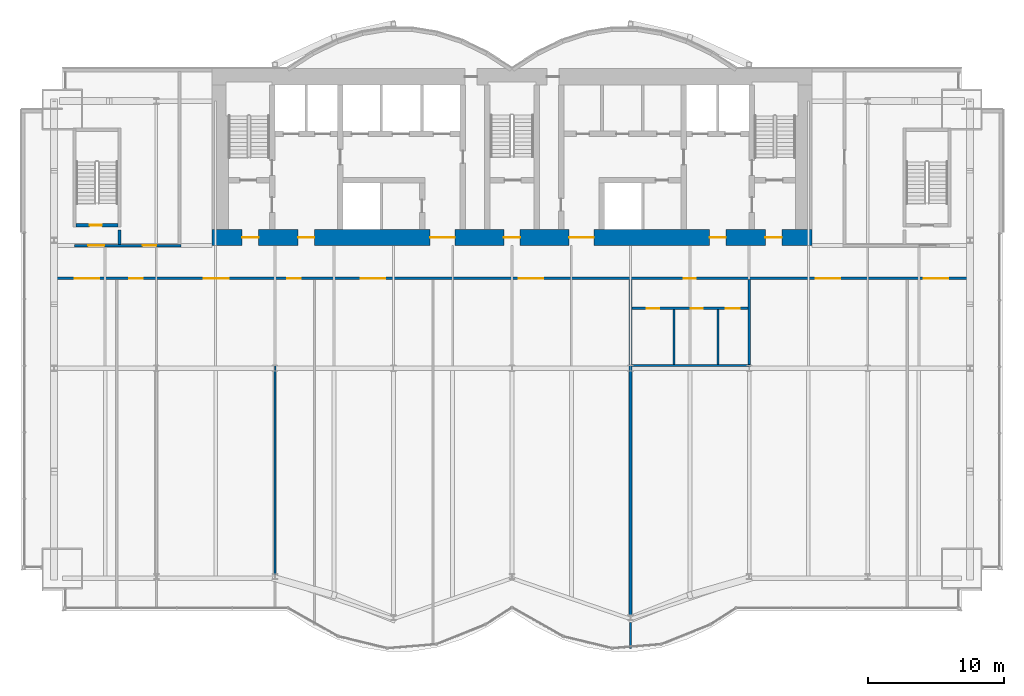
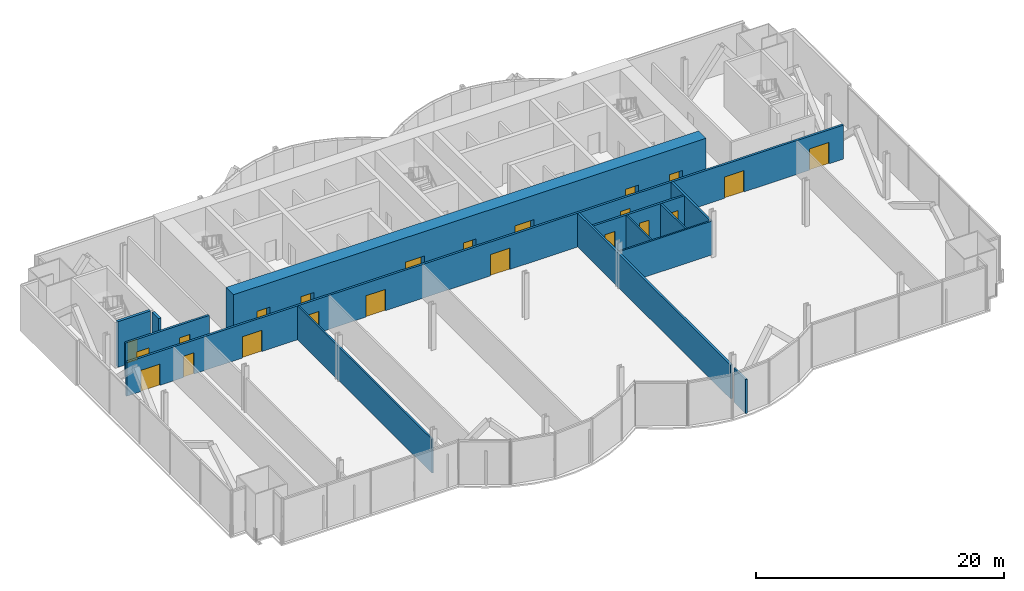
# One storey, part 15 of 21: 22 doors, 13 walls, 22 openings.
"""IFC4 building model written with IfcOpenShell, lengths in metres."""

from ifc_helpers import new_model, si_unit, direction, frame, frame_2d, origin, place, context, subcontext, project, spatial, rectangle, extrude, material, layer, layer_set, type_object, element, fill, save


model = new_model("IFC4")

# Units and contexts
model_context = context("Model", 3, precision=1e-05, world=origin(), true_north=direction((0.0, 1.0)))
body_context = subcontext(model_context, "Body", "Model", "MODEL_VIEW")
ifc_project = project(units=[si_unit("LENGTHUNIT", "METRE"), si_unit("AREAUNIT", "SQUARE_METRE"), si_unit("VOLUMEUNIT", "CUBIC_METRE"), si_unit("PLANEANGLEUNIT", "RADIAN"), si_unit("MASSUNIT", "GRAM", prefix="KILO")], contexts=[model_context])

# Site, building, storey
site_placement = place(None, origin())
site = spatial("IfcSite", under=ifc_project, at=site_placement, CompositionType="ELEMENT")
building_placement = place(site_placement, origin())
building = spatial("IfcBuilding", under=site, at=building_placement, Name="Bicima Exchange Tower", CompositionType="ELEMENT")
storey_placement = place(building_placement, frame((0.0, 0.0, 75.5)))
storey = spatial("IfcBuildingStorey", under=building, at=storey_placement, Name="L15", CompositionType="ELEMENT", Elevation=75.5)

# Wall, openings, doors
ifc_material_1 = material(Name="Gypsum board partition")
ifc_layer_1 = layer(ifc_material_1, 0.199951171875)
ifc_layer_set_1 = layer_set([ifc_layer_1], Name="Gypsum board partition")
wall_type_1 = type_object("IfcWallType", Name="Fire-rated gypsum partition 200 EI60", PredefinedType="PARTITIONING", material=ifc_layer_set_1)
wall_1_placement = place(storey_placement, frame((8.800048828125, -17.60009765625, 0.0), z_axis=(0.0, 0.0, 1.0), x_axis=(1.0, 0.0, 0.0)))
wall_1 = element("IfcWall", 1, at=wall_1_placement, inside=storey, type_object=wall_type_1, Name="partition wall 2", PredefinedType="PARTITIONING", context=body_context, shape_type="SweptSolid", body=[
    extrude(rectangle(XDim=8.5, YDim=0.199951171875, at=frame_2d((4.25, 0.0))), origin(), (0.0, 0.0, 1.0), 3.33935546875),
])
opening_1_placement = place(wall_1_placement, frame((1.10009765625, 0.0, 0.0)))
opening_1 = element("IfcOpeningElement", 2, at=opening_1_placement, cuts=wall_1, Name="Opening L15-014", PredefinedType="OPENING", context=body_context, shape_type="SweptSolid", body=[
    extrude(rectangle(XDim=0.89990234375, YDim=2.10009765625, at=frame_2d((0.449951171875, 1.050048828125))), frame((0.0, 0.11181640625, 0.0), z_axis=(0.0, -1.0, 0.0), x_axis=(1.0, 0.0, 0.0)), (0.0, 0.0, 1.0), 0.223876953125),
])
opening_2_placement = place(wall_1_placement, frame((4.300048828125, 0.0, 0.0)))
opening_2 = element("IfcOpeningElement", 3, at=opening_2_placement, cuts=wall_1, Name="Opening L15-015", PredefinedType="OPENING", context=body_context, shape_type="SweptSolid", body=[
    extrude(rectangle(XDim=0.89990234375, YDim=2.10009765625, at=frame_2d((0.449951171875, 1.050048828125))), frame((0.0, 0.11181640625, 0.0), z_axis=(0.0, -1.0, 0.0), x_axis=(1.0, 0.0, 0.0)), (0.0, 0.0, 1.0), 0.223876953125),
])
opening_3_placement = place(wall_1_placement, frame((6.89990234375, 0.0, 0.0)))
opening_3 = element("IfcOpeningElement", 4, at=opening_3_placement, cuts=wall_1, Name="Opening L15-016", PredefinedType="OPENING", context=body_context, shape_type="SweptSolid", body=[
    extrude(rectangle(XDim=1.0, YDim=2.10009765625, at=frame_2d((0.5, 1.050048828125))), frame((0.0, 0.11181640625, 0.0), z_axis=(0.0, -1.0, 0.0), x_axis=(1.0, 0.0, 0.0)), (0.0, 0.0, 1.0), 0.223876953125),
])
ifc_material_2 = material(Name="Steel fire door leaf", Category="steel")
door_type_1 = type_object("IfcDoorType", Name="Door 1000 swing FD30S", OperationType="SINGLE_SWING_LEFT", PredefinedType="DOOR", material=ifc_material_2)
door_1_placement = place(opening_3_placement, frame((1.0, 0.0, 0.0), z_axis=(0.0, 0.0, 1.0), x_axis=(-1.0, 0.0, 0.0)))
door_1 = element("IfcDoor", 5, at=door_1_placement, inside=storey, type_object=door_type_1, Name="Door", OperationType="SINGLE_SWING_LEFT", OverallHeight=2.10009765625, OverallWidth=1.0, PredefinedType="DOOR", context=body_context, shape_type="SweptSolid", body=[
    extrude(rectangle(XDim=1.0, YDim=2.10009765625, at=frame_2d((0.5, 1.050048828125))), frame((0.0, 0.02490234375, 0.0), z_axis=(0.0, -1.0, 0.0), x_axis=(1.0, 0.0, 0.0)), (0.0, 0.0, 1.0), 0.050048828125),
])
fill(opening_3, door_1)
door_type_2 = type_object("IfcDoorType", Name="Door 900 swing FD30S", OperationType="SINGLE_SWING_LEFT", PredefinedType="DOOR", material=ifc_material_2)
door_2_placement = place(opening_1_placement, frame((0.89990234375, 0.0, 0.0), z_axis=(0.0, 0.0, 1.0), x_axis=(-1.0, 0.0, 0.0)))
door_2 = element("IfcDoor", 6, at=door_2_placement, inside=storey, type_object=door_type_2, Name="Door", OperationType="SINGLE_SWING_RIGHT", OverallHeight=2.10009765625, OverallWidth=0.89990234375, PredefinedType="DOOR", context=body_context, shape_type="SweptSolid", body=[
    extrude(rectangle(XDim=0.89990234375, YDim=2.10009765625, at=frame_2d((0.449951171875, 1.050048828125))), frame((0.0, 0.02490234375, 0.0), z_axis=(0.0, -1.0, 0.0), x_axis=(1.0, 0.0, 0.0)), (0.0, 0.0, 1.0), 0.050048828125),
])
fill(opening_1, door_2)
door_3_placement = place(opening_2_placement, frame((0.89990234375, 0.0, 0.0), z_axis=(0.0, 0.0, 1.0), x_axis=(-1.0, 0.0, 0.0)))
door_3 = element("IfcDoor", 7, at=door_3_placement, inside=storey, type_object=door_type_2, Name="Door", OperationType="SINGLE_SWING_RIGHT", OverallHeight=2.10009765625, OverallWidth=0.89990234375, PredefinedType="DOOR", context=body_context, shape_type="SweptSolid", body=[
    extrude(rectangle(XDim=0.89990234375, YDim=2.10009765625, at=frame_2d((0.449951171875, 1.050048828125))), frame((0.0, 0.02490234375, 0.0), z_axis=(0.0, -1.0, 0.0), x_axis=(1.0, 0.0, 0.0)), (0.0, 0.0, 1.0), 0.050048828125),
])
fill(opening_2, door_3)

wall_2_placement = place(storey_placement, frame((-33.3701171875, -15.39990234375, 0.0), z_axis=(0.0, 0.0, 1.0), x_axis=(1.0, 0.0, 0.0)))
wall_2 = element("IfcWall", 8, at=wall_2_placement, inside=storey, type_object=wall_type_1, Name="partition wall 3", PredefinedType="PARTITIONING", context=body_context, shape_type="SweptSolid", body=[
    extrude(rectangle(XDim=66.740234375, YDim=0.199951171875, at=frame_2d((33.3701171875, 0.0))), origin(), (0.0, 0.0, 1.0), 3.33935546875),
])
opening_4_placement = place(wall_2_placement, frame((1.300048828125, 0.0, 0.0)))
opening_4 = element("IfcOpeningElement", 9, at=opening_4_placement, cuts=wall_2, Name="Opening L15-007", PredefinedType="OPENING", context=body_context, shape_type="SweptSolid", body=[
    extrude(rectangle(XDim=1.800048828125, YDim=2.10009765625, at=frame_2d((0.89990234375, 1.050048828125))), frame((0.0, 0.11181640625, 0.0), z_axis=(0.0, -1.0, 0.0), x_axis=(1.0, 0.0, 0.0)), (0.0, 0.0, 1.0), 0.223876953125),
])
opening_5_placement = place(wall_2_placement, frame((5.27001953125, 0.0, 0.0)))
opening_5 = element("IfcOpeningElement", 10, at=opening_5_placement, cuts=wall_2, Name="Opening L15-008", PredefinedType="OPENING", context=body_context, shape_type="SweptSolid", body=[
    extrude(rectangle(XDim=1.0, YDim=2.10009765625, at=frame_2d((0.5, 1.050048828125))), frame((0.0, 0.11181640625, 0.0), z_axis=(0.0, -1.0, 0.0), x_axis=(1.0, 0.0, 0.0)), (0.0, 0.0, 1.0), 0.223876953125),
])
opening_6_placement = place(wall_2_placement, frame((10.77001953125, 0.0, 0.0)))
opening_6 = element("IfcOpeningElement", 11, at=opening_6_placement, cuts=wall_2, Name="Opening L15-009", PredefinedType="OPENING", context=body_context, shape_type="SweptSolid", body=[
    extrude(rectangle(XDim=1.800048828125, YDim=2.10009765625, at=frame_2d((0.89990234375, 1.050048828125))), frame((0.0, 0.11181640625, 0.0), z_axis=(0.0, -1.0, 0.0), x_axis=(1.0, 0.0, 0.0)), (0.0, 0.0, 1.0), 0.223876953125),
])
opening_7_placement = place(wall_2_placement, frame((16.8701171875, 0.0, 0.0)))
opening_7 = element("IfcOpeningElement", 12, at=opening_7_placement, cuts=wall_2, Name="Opening L15-010", PredefinedType="OPENING", context=body_context, shape_type="SweptSolid", body=[
    extrude(rectangle(XDim=1.0, YDim=2.10009765625, at=frame_2d((0.5, 1.050048828125))), frame((0.0, 0.11181640625, 0.0), z_axis=(0.0, -1.0, 0.0), x_axis=(1.0, 0.0, 0.0)), (0.0, 0.0, 1.0), 0.223876953125),
])
opening_8_placement = place(wall_2_placement, frame((22.27001953125, 0.0, 0.0)))
opening_8 = element("IfcOpeningElement", 13, at=opening_8_placement, cuts=wall_2, Name="Opening L15-011", PredefinedType="OPENING", context=body_context, shape_type="SweptSolid", body=[
    extrude(rectangle(XDim=1.800048828125, YDim=2.10009765625, at=frame_2d((0.89990234375, 1.050048828125))), frame((0.0, 0.11181640625, 0.0), z_axis=(0.0, -1.0, 0.0), x_axis=(1.0, 0.0, 0.0)), (0.0, 0.0, 1.0), 0.223876953125),
])
opening_9_placement = place(wall_2_placement, frame((33.8701171875, 0.0, 0.0)))
opening_9 = element("IfcOpeningElement", 14, at=opening_9_placement, cuts=wall_2, Name="Opening L15-012", PredefinedType="OPENING", context=body_context, shape_type="SweptSolid", body=[
    extrude(rectangle(XDim=1.800048828125, YDim=2.10009765625, at=frame_2d((0.89990234375, 1.050048828125))), frame((0.0, 0.11181640625, 0.0), z_axis=(0.0, -1.0, 0.0), x_axis=(1.0, 0.0, 0.0)), (0.0, 0.0, 1.0), 0.223876953125),
])
opening_10_placement = place(wall_2_placement, frame((45.969970703125, 0.0, 0.0)))
opening_10 = element("IfcOpeningElement", 15, at=opening_10_placement, cuts=wall_2, Name="Opening L15-013", PredefinedType="OPENING", context=body_context, shape_type="SweptSolid", body=[
    extrude(rectangle(XDim=0.89990234375, YDim=2.10009765625, at=frame_2d((0.449951171875, 1.050048828125))), frame((0.0, 0.11181640625, 0.0), z_axis=(0.0, -1.0, 0.0), x_axis=(1.0, 0.0, 0.0)), (0.0, 0.0, 1.0), 0.223876953125),
])
opening_11_placement = place(wall_2_placement, frame((55.669921875, 0.0, 0.0)))
opening_11 = element("IfcOpeningElement", 16, at=opening_11_placement, cuts=wall_2, Name="Opening L15-017", PredefinedType="OPENING", context=body_context, shape_type="SweptSolid", body=[
    extrude(rectangle(XDim=1.800048828125, YDim=2.10009765625, at=frame_2d((0.89990234375, 1.050048828125))), frame((0.0, 0.11181640625, 0.0), z_axis=(0.0, -1.0, 0.0), x_axis=(1.0, 0.0, 0.0)), (0.0, 0.0, 1.0), 0.223876953125),
])
opening_12_placement = place(wall_2_placement, frame((63.570068359375, 0.0, 0.0)))
opening_12 = element("IfcOpeningElement", 17, at=opening_12_placement, cuts=wall_2, Name="Opening L15-018", PredefinedType="OPENING", context=body_context, shape_type="SweptSolid", body=[
    extrude(rectangle(XDim=1.800048828125, YDim=2.10009765625, at=frame_2d((0.89990234375, 1.050048828125))), frame((0.0, 0.11181640625, 0.0), z_axis=(0.0, -1.0, 0.0), x_axis=(1.0, 0.0, 0.0)), (0.0, 0.0, 1.0), 0.223876953125),
])
door_4_placement = place(opening_5_placement, frame((1.0, 0.0, 0.0), z_axis=(0.0, 0.0, 1.0), x_axis=(-1.0, 0.0, 0.0)))
door_4 = element("IfcDoor", 18, at=door_4_placement, inside=storey, type_object=door_type_1, Name="Door", OperationType="SINGLE_SWING_RIGHT", OverallHeight=2.10009765625, OverallWidth=1.0, PredefinedType="DOOR", context=body_context, shape_type="SweptSolid", body=[
    extrude(rectangle(XDim=1.0, YDim=2.10009765625, at=frame_2d((0.5, 1.050048828125))), frame((0.0, 0.02490234375, 0.0), z_axis=(0.0, -1.0, 0.0), x_axis=(1.0, 0.0, 0.0)), (0.0, 0.0, 1.0), 0.050048828125),
])
fill(opening_5, door_4)
door_5_placement = place(opening_7_placement, frame((1.0, 0.0, 0.0), z_axis=(0.0, 0.0, 1.0), x_axis=(-1.0, 0.0, 0.0)))
door_5 = element("IfcDoor", 19, at=door_5_placement, inside=storey, type_object=door_type_1, Name="Door", OperationType="SINGLE_SWING_LEFT", OverallHeight=2.10009765625, OverallWidth=1.0, PredefinedType="DOOR", context=body_context, shape_type="SweptSolid", body=[
    extrude(rectangle(XDim=1.0, YDim=2.10009765625, at=frame_2d((0.5, 1.050048828125))), frame((0.0, 0.02490234375, 0.0), z_axis=(0.0, -1.0, 0.0), x_axis=(1.0, 0.0, 0.0)), (0.0, 0.0, 1.0), 0.050048828125),
])
fill(opening_7, door_5)
door_type_3 = type_object("IfcDoorType", Name="Door 1800 double swing FD30S", OperationType="DOUBLE_DOOR_SINGLE_SWING", PredefinedType="DOOR", material=ifc_material_2)
door_6_placement = place(opening_4_placement, origin())
door_6 = element("IfcDoor", 20, at=door_6_placement, inside=storey, type_object=door_type_3, Name="Door", OperationType="SINGLE_SWING_LEFT", OverallHeight=2.10009765625, OverallWidth=1.800048828125, PredefinedType="DOOR", context=body_context, shape_type="SweptSolid", body=[
    extrude(rectangle(XDim=1.800048828125, YDim=2.10009765625, at=frame_2d((0.89990234375, 1.050048828125))), frame((0.0, 0.02490234375, 0.0), z_axis=(0.0, -1.0, 0.0), x_axis=(1.0, 0.0, 0.0)), (0.0, 0.0, 1.0), 0.050048828125),
])
fill(opening_4, door_6)
door_7_placement = place(opening_6_placement, origin())
door_7 = element("IfcDoor", 21, at=door_7_placement, inside=storey, type_object=door_type_3, Name="Door", OperationType="SINGLE_SWING_LEFT", OverallHeight=2.10009765625, OverallWidth=1.800048828125, PredefinedType="DOOR", context=body_context, shape_type="SweptSolid", body=[
    extrude(rectangle(XDim=1.800048828125, YDim=2.10009765625, at=frame_2d((0.89990234375, 1.050048828125))), frame((0.0, 0.02490234375, 0.0), z_axis=(0.0, -1.0, 0.0), x_axis=(1.0, 0.0, 0.0)), (0.0, 0.0, 1.0), 0.050048828125),
])
fill(opening_6, door_7)
door_8_placement = place(opening_8_placement, origin())
door_8 = element("IfcDoor", 22, at=door_8_placement, inside=storey, type_object=door_type_3, Name="Door", OperationType="SINGLE_SWING_LEFT", OverallHeight=2.10009765625, OverallWidth=1.800048828125, PredefinedType="DOOR", context=body_context, shape_type="SweptSolid", body=[
    extrude(rectangle(XDim=1.800048828125, YDim=2.10009765625, at=frame_2d((0.89990234375, 1.050048828125))), frame((0.0, 0.02490234375, 0.0), z_axis=(0.0, -1.0, 0.0), x_axis=(1.0, 0.0, 0.0)), (0.0, 0.0, 1.0), 0.050048828125),
])
fill(opening_8, door_8)
door_9_placement = place(opening_9_placement, origin())
door_9 = element("IfcDoor", 23, at=door_9_placement, inside=storey, type_object=door_type_3, Name="Door", OperationType="SINGLE_SWING_LEFT", OverallHeight=2.10009765625, OverallWidth=1.800048828125, PredefinedType="DOOR", context=body_context, shape_type="SweptSolid", body=[
    extrude(rectangle(XDim=1.800048828125, YDim=2.10009765625, at=frame_2d((0.89990234375, 1.050048828125))), frame((0.0, 0.02490234375, 0.0), z_axis=(0.0, -1.0, 0.0), x_axis=(1.0, 0.0, 0.0)), (0.0, 0.0, 1.0), 0.050048828125),
])
fill(opening_9, door_9)
door_10_placement = place(opening_11_placement, origin())
door_10 = element("IfcDoor", 24, at=door_10_placement, inside=storey, type_object=door_type_3, Name="Door", OperationType="SINGLE_SWING_LEFT", OverallHeight=2.10009765625, OverallWidth=1.800048828125, PredefinedType="DOOR", context=body_context, shape_type="SweptSolid", body=[
    extrude(rectangle(XDim=1.800048828125, YDim=2.10009765625, at=frame_2d((0.89990234375, 1.050048828125))), frame((0.0, 0.02490234375, 0.0), z_axis=(0.0, -1.0, 0.0), x_axis=(1.0, 0.0, 0.0)), (0.0, 0.0, 1.0), 0.050048828125),
])
fill(opening_11, door_10)
door_11_placement = place(opening_12_placement, origin())
door_11 = element("IfcDoor", 25, at=door_11_placement, inside=storey, type_object=door_type_3, Name="Door", OperationType="SINGLE_SWING_LEFT", OverallHeight=2.10009765625, OverallWidth=1.800048828125, PredefinedType="DOOR", context=body_context, shape_type="SweptSolid", body=[
    extrude(rectangle(XDim=1.800048828125, YDim=2.10009765625, at=frame_2d((0.89990234375, 1.050048828125))), frame((0.0, 0.02490234375, 0.0), z_axis=(0.0, -1.0, 0.0), x_axis=(1.0, 0.0, 0.0)), (0.0, 0.0, 1.0), 0.050048828125),
])
fill(opening_12, door_11)
door_12_placement = place(opening_10_placement, frame((0.89990234375, 0.0, 0.0), z_axis=(0.0, 0.0, 1.0), x_axis=(-1.0, 0.0, 0.0)))
door_12 = element("IfcDoor", 26, at=door_12_placement, inside=storey, type_object=door_type_2, Name="Door", OperationType="SINGLE_SWING_LEFT", OverallHeight=2.10009765625, OverallWidth=0.89990234375, PredefinedType="DOOR", context=body_context, shape_type="SweptSolid", body=[
    extrude(rectangle(XDim=0.89990234375, YDim=2.10009765625, at=frame_2d((0.449951171875, 1.050048828125))), frame((0.0, 0.02490234375, 0.0), z_axis=(0.0, -1.0, 0.0), x_axis=(1.0, 0.0, 0.0)), (0.0, 0.0, 1.0), 0.050048828125),
])
fill(opening_10, door_12)

wall_3_placement = place(storey_placement, frame((-32.10009765625, -13.0, 0.0), z_axis=(0.0, 0.0, 1.0), x_axis=(1.0, 0.0, 0.0)))
wall_3 = element("IfcWall", 27, at=wall_3_placement, inside=storey, type_object=wall_type_1, Name="partition wall 4", PredefinedType="PARTITIONING", context=body_context, shape_type="SweptSolid", body=[
    extrude(rectangle(XDim=7.800048828125, YDim=0.199951171875, at=frame_2d((3.89990234375, 0.0))), origin(), (0.0, 0.0, 1.0), 3.33935546875),
])
opening_13_placement = place(wall_3_placement, frame((1.0, 0.0, 0.0)))
opening_13 = element("IfcOpeningElement", 28, at=opening_13_placement, cuts=wall_3, Name="Opening L15-001", PredefinedType="OPENING", context=body_context, shape_type="SweptSolid", body=[
    extrude(rectangle(XDim=1.199951171875, YDim=2.10009765625, at=frame_2d((0.60009765625, 1.050048828125))), frame((0.0, 0.11181640625, 0.0), z_axis=(0.0, -1.0, 0.0), x_axis=(1.0, 0.0, 0.0)), (0.0, 0.0, 1.0), 0.223876953125),
])
opening_14_placement = place(wall_3_placement, frame((5.0, 0.0, 0.0)))
opening_14 = element("IfcOpeningElement", 29, at=opening_14_placement, cuts=wall_3, Name="Opening L15-005", PredefinedType="OPENING", context=body_context, shape_type="SweptSolid", body=[
    extrude(rectangle(XDim=1.0, YDim=2.10009765625, at=frame_2d((0.5, 1.050048828125))), frame((0.0, 0.11181640625, 0.0), z_axis=(0.0, -1.0, 0.0), x_axis=(1.0, 0.0, 0.0)), (0.0, 0.0, 1.0), 0.223876953125),
])
door_13_placement = place(opening_14_placement, origin())
door_13 = element("IfcDoor", 30, at=door_13_placement, inside=storey, type_object=door_type_1, Name="Door", OperationType="SINGLE_SWING_LEFT", OverallHeight=2.10009765625, OverallWidth=1.0, PredefinedType="DOOR", context=body_context, shape_type="SweptSolid", body=[
    extrude(rectangle(XDim=1.0, YDim=2.10009765625, at=frame_2d((0.5, 1.050048828125))), frame((0.0, 0.02490234375, 0.0), z_axis=(0.0, -1.0, 0.0), x_axis=(1.0, 0.0, 0.0)), (0.0, 0.0, 1.0), 0.050048828125),
])
fill(opening_14, door_13)
door_type_4 = type_object("IfcDoorType", Name="Door 1200 swing FD30S", OperationType="SINGLE_SWING_LEFT", PredefinedType="DOOR", material=ifc_material_2)
door_14_placement = place(opening_13_placement, origin())
door_14 = element("IfcDoor", 31, at=door_14_placement, inside=storey, type_object=door_type_4, Name="Door", OperationType="SINGLE_SWING_LEFT", OverallHeight=2.10009765625, OverallWidth=1.199951171875, PredefinedType="DOOR", context=body_context, shape_type="SweptSolid", body=[
    extrude(rectangle(XDim=1.199951171875, YDim=2.10009765625, at=frame_2d((0.60009765625, 1.050048828125))), frame((0.0, 0.02490234375, 0.0), z_axis=(0.0, -1.0, 0.0), x_axis=(1.0, 0.0, 0.0)), (0.0, 0.0, 1.0), 0.050048828125),
])
fill(opening_13, door_14)

# Walls
wall_4_placement = place(storey_placement, frame((8.699951171875, -40.151123046875, 0.0), z_axis=(0.0, 0.0, 1.0), x_axis=(0.0, 1.0, 0.0)))
element("IfcWall", 32, at=wall_4_placement, inside=storey, type_object=wall_type_1, Name="partition wall 23", PredefinedType="PARTITIONING", context=body_context, shape_type="SweptSolid", body=[
    extrude(rectangle(XDim=24.651123046875, YDim=0.199951171875, at=frame_2d((12.32568359375, 0.0))), origin(), (0.0, 0.0, 1.0), 3.33935546875),
])
wall_5_placement = place(storey_placement, frame((17.39990234375, -21.72509765625, 0.0), z_axis=(0.0, 0.0, 1.0), x_axis=(0.0, 1.0, 0.0)))
element("IfcWall", 33, at=wall_5_placement, inside=storey, type_object=wall_type_1, Name="partition wall 26", PredefinedType="PARTITIONING", context=body_context, shape_type="SweptSolid", body=[
    extrude(rectangle(XDim=6.22509765625, YDim=0.199951171875, at=frame_2d((3.112548828125, 0.0))), origin(), (0.0, 0.0, 1.0), 3.33935546875),
])
ifc_layer_2 = layer(ifc_material_1, 0.14990234375)
ifc_layer_set_2 = layer_set([ifc_layer_2], Name="Gypsum board partition")
wall_type_2 = type_object("IfcWallType", Name="Gypsum partition 150", PredefinedType="PARTITIONING", material=ifc_layer_set_2)
wall_6_placement = place(storey_placement, frame((8.800048828125, -21.800048828125, 0.0), z_axis=(0.0, 0.0, 1.0), x_axis=(1.0, 0.0, 0.0)))
element("IfcWall", 34, at=wall_6_placement, inside=storey, type_object=wall_type_2, Name="partition wall 1", PredefinedType="PARTITIONING", context=body_context, shape_type="SweptSolid", body=[
    extrude(rectangle(XDim=8.699951171875, YDim=0.14990234375, at=frame_2d((4.35009765625, 0.0))), origin(), (0.0, 0.0, 1.0), 3.33935546875),
])
wall_7_placement = place(storey_placement, frame((-17.39990234375, -37.166748046875, 0.0), z_axis=(0.0, 0.0, 1.0), x_axis=(0.0, 1.0, 0.0)))
element("IfcWall", 35, at=wall_7_placement, inside=storey, type_object=wall_type_2, Name="partition wall 18", PredefinedType="PARTITIONING", context=body_context, shape_type="SweptSolid", body=[
    extrude(rectangle(XDim=21.666748046875, YDim=0.14990234375, at=frame_2d((10.83349609375, 0.0))), origin(), (0.0, 0.0, 1.0), 3.33935546875),
])
wall_8_placement = place(storey_placement, frame((8.699951171875, -42.56005859375, 0.0), z_axis=(0.0, 0.0, 1.0), x_axis=(0.0, 1.0, 0.0)))
element("IfcWall", 36, at=wall_8_placement, inside=storey, type_object=wall_type_2, Name="partition wall 22", PredefinedType="PARTITIONING", context=body_context, shape_type="SweptSolid", body=[
    extrude(rectangle(XDim=1.921142578125, YDim=0.14990234375, at=frame_2d((0.96044921875, 0.0))), origin(), (0.0, 0.0, 1.0), 3.33935546875),
])
for number, where, z_axis, x_axis, name in (
    (37, (11.89990234375, -21.72509765625, 0.0), (0.0, 0.0, 1.0), (0.0, 1.0, 0.0), "partition wall 24"),
    (38, (15.10009765625, -21.72509765625, 0.0), (0.0, 0.0, 1.0), (0.0, 1.0, 0.0), "partition wall 25"),
):
    element("IfcWall", number, at=place(storey_placement, frame(where, z_axis=z_axis, x_axis=x_axis)), inside=storey, type_object=wall_type_2, Name=name, PredefinedType="PARTITIONING", context=body_context, shape_type="SweptSolid", body=[
        extrude(rectangle(XDim=4.025146484375, YDim=0.14990234375, at=frame_2d((2.0126953125, 0.0))), origin(), (0.0, 0.0, 1.0), 3.33935546875),
    ])

# Wall, openings, doors
ifc_material_3 = material(Name="Concrete C60/75", Category="concrete")
ifc_layer_3 = layer(ifc_material_3, 1.199951171875)
ifc_layer_set_3 = layer_set([ifc_layer_3], Name="Concrete C60/75")
wall_type_3 = type_object("IfcWallType", Name="RC core wall 1200 C60/75", PredefinedType="SHEAR", material=ifc_layer_set_3)
wall_9_placement = place(storey_placement, frame((-22.0, -12.39990234375, 0.0), z_axis=(0.0, 0.0, 1.0), x_axis=(1.0, 0.0, 0.0)))
wall_9 = element("IfcWall", 39, at=wall_9_placement, inside=storey, type_object=wall_type_3, Name="Core wall south", PredefinedType="SHEAR", context=body_context, shape_type="SweptSolid", body=[
    extrude(rectangle(XDim=44.0, YDim=1.199951171875, at=frame_2d((22.0, 0.0))), origin(), (0.0, 0.0, 1.0), 4.5),
])
opening_15_placement = place(wall_9_placement, frame((2.199951171875, 0.0, 0.0)))
opening_15 = element("IfcOpeningElement", 40, at=opening_15_placement, cuts=wall_9, Name="Opening L15-C19", PredefinedType="OPENING", context=body_context, shape_type="SweptSolid", body=[
    extrude(rectangle(XDim=1.199951171875, YDim=2.10009765625, at=frame_2d((0.60009765625, 1.050048828125))), frame((0.0, 0.61181640625, 0.0), z_axis=(0.0, -1.0, 0.0), x_axis=(1.0, 0.0, 0.0)), (0.0, 0.0, 1.0), 1.223876953125),
])
opening_16_placement = place(wall_9_placement, frame((21.39990234375, 0.0, 0.0)))
opening_16 = element("IfcOpeningElement", 41, at=opening_16_placement, cuts=wall_9, Name="Opening L15-C20", PredefinedType="OPENING", context=body_context, shape_type="SweptSolid", body=[
    extrude(rectangle(XDim=1.199951171875, YDim=2.10009765625, at=frame_2d((0.60009765625, 1.050048828125))), frame((0.0, 0.61181640625, 0.0), z_axis=(0.0, -1.0, 0.0), x_axis=(1.0, 0.0, 0.0)), (0.0, 0.0, 1.0), 1.223876953125),
])
opening_17_placement = place(wall_9_placement, frame((40.60009765625, 0.0, 0.0)))
opening_17 = element("IfcOpeningElement", 42, at=opening_17_placement, cuts=wall_9, Name="Opening L15-C21", PredefinedType="OPENING", context=body_context, shape_type="SweptSolid", body=[
    extrude(rectangle(XDim=1.199951171875, YDim=2.10009765625, at=frame_2d((0.60009765625, 1.050048828125))), frame((0.0, 0.61181640625, 0.0), z_axis=(0.0, -1.0, 0.0), x_axis=(1.0, 0.0, 0.0)), (0.0, 0.0, 1.0), 1.223876953125),
])
opening_18_placement = place(wall_9_placement, frame((16.0, 0.0, 0.0)))
opening_18 = element("IfcOpeningElement", 43, at=opening_18_placement, cuts=wall_9, Name="Opening L15-C22", PredefinedType="OPENING", context=body_context, shape_type="SweptSolid", body=[
    extrude(rectangle(XDim=1.800048828125, YDim=2.10009765625, at=frame_2d((0.89990234375, 1.050048828125))), frame((0.0, 0.61181640625, 0.0), z_axis=(0.0, -1.0, 0.0), x_axis=(1.0, 0.0, 0.0)), (0.0, 0.0, 1.0), 1.223876953125),
])
opening_19_placement = place(wall_9_placement, frame((6.300048828125, 0.0, 0.0)))
opening_19 = element("IfcOpeningElement", 44, at=opening_19_placement, cuts=wall_9, Name="Opening L15-C23", PredefinedType="OPENING", context=body_context, shape_type="SweptSolid", body=[
    extrude(rectangle(XDim=1.199951171875, YDim=2.10009765625, at=frame_2d((0.60009765625, 1.050048828125))), frame((0.0, 0.61181640625, 0.0), z_axis=(0.0, -1.0, 0.0), x_axis=(1.0, 0.0, 0.0)), (0.0, 0.0, 1.0), 1.223876953125),
])
opening_20_placement = place(wall_9_placement, frame((26.199951171875, 0.0, 0.0)))
opening_20 = element("IfcOpeningElement", 45, at=opening_20_placement, cuts=wall_9, Name="Opening L15-C24", PredefinedType="OPENING", context=body_context, shape_type="SweptSolid", body=[
    extrude(rectangle(XDim=1.800048828125, YDim=2.10009765625, at=frame_2d((0.89990234375, 1.050048828125))), frame((0.0, 0.61181640625, 0.0), z_axis=(0.0, -1.0, 0.0), x_axis=(1.0, 0.0, 0.0)), (0.0, 0.0, 1.0), 1.223876953125),
])
opening_21_placement = place(wall_9_placement, frame((36.5, 0.0, 0.0)))
opening_21 = element("IfcOpeningElement", 46, at=opening_21_placement, cuts=wall_9, Name="Opening L15-C25", PredefinedType="OPENING", context=body_context, shape_type="SweptSolid", body=[
    extrude(rectangle(XDim=1.199951171875, YDim=2.10009765625, at=frame_2d((0.60009765625, 1.050048828125))), frame((0.0, 0.61181640625, 0.0), z_axis=(0.0, -1.0, 0.0), x_axis=(1.0, 0.0, 0.0)), (0.0, 0.0, 1.0), 1.223876953125),
])
door_type_5 = type_object("IfcDoorType", Name="Door 1200 swing FD60S", OperationType="SINGLE_SWING_LEFT", PredefinedType="DOOR", material=ifc_material_2)
door_15_placement = place(opening_15_placement, frame((1.199951171875, 0.0, 0.0), z_axis=(0.0, 0.0, 1.0), x_axis=(-1.0, 0.0, 0.0)))
door_15 = element("IfcDoor", 47, at=door_15_placement, inside=storey, type_object=door_type_5, Name="Core door", OperationType="SINGLE_SWING_RIGHT", OverallHeight=2.10009765625, OverallWidth=1.199951171875, PredefinedType="DOOR", context=body_context, shape_type="SweptSolid", body=[
    extrude(rectangle(XDim=1.199951171875, YDim=2.10009765625, at=frame_2d((0.60009765625, 1.050048828125))), frame((0.0, 0.02490234375, 0.0), z_axis=(0.0, -1.0, 0.0), x_axis=(1.0, 0.0, 0.0)), (0.0, 0.0, 1.0), 0.050048828125),
])
fill(opening_15, door_15)
door_16_placement = place(opening_16_placement, frame((1.199951171875, 0.0, 0.0), z_axis=(0.0, 0.0, 1.0), x_axis=(-1.0, 0.0, 0.0)))
door_16 = element("IfcDoor", 48, at=door_16_placement, inside=storey, type_object=door_type_5, Name="Core door", OperationType="SINGLE_SWING_RIGHT", OverallHeight=2.10009765625, OverallWidth=1.199951171875, PredefinedType="DOOR", context=body_context, shape_type="SweptSolid", body=[
    extrude(rectangle(XDim=1.199951171875, YDim=2.10009765625, at=frame_2d((0.60009765625, 1.050048828125))), frame((0.0, 0.02490234375, 0.0), z_axis=(0.0, -1.0, 0.0), x_axis=(1.0, 0.0, 0.0)), (0.0, 0.0, 1.0), 0.050048828125),
])
fill(opening_16, door_16)
door_17_placement = place(opening_17_placement, frame((1.199951171875, 0.0, 0.0), z_axis=(0.0, 0.0, 1.0), x_axis=(-1.0, 0.0, 0.0)))
door_17 = element("IfcDoor", 49, at=door_17_placement, inside=storey, type_object=door_type_5, Name="Core door", OperationType="SINGLE_SWING_RIGHT", OverallHeight=2.10009765625, OverallWidth=1.199951171875, PredefinedType="DOOR", context=body_context, shape_type="SweptSolid", body=[
    extrude(rectangle(XDim=1.199951171875, YDim=2.10009765625, at=frame_2d((0.60009765625, 1.050048828125))), frame((0.0, 0.02490234375, 0.0), z_axis=(0.0, -1.0, 0.0), x_axis=(1.0, 0.0, 0.0)), (0.0, 0.0, 1.0), 0.050048828125),
])
fill(opening_17, door_17)
door_18_placement = place(opening_19_placement, frame((1.199951171875, 0.0, 0.0), z_axis=(0.0, 0.0, 1.0), x_axis=(-1.0, 0.0, 0.0)))
door_18 = element("IfcDoor", 50, at=door_18_placement, inside=storey, type_object=door_type_5, Name="Core door", OperationType="SINGLE_SWING_RIGHT", OverallHeight=2.10009765625, OverallWidth=1.199951171875, PredefinedType="DOOR", context=body_context, shape_type="SweptSolid", body=[
    extrude(rectangle(XDim=1.199951171875, YDim=2.10009765625, at=frame_2d((0.60009765625, 1.050048828125))), frame((0.0, 0.02490234375, 0.0), z_axis=(0.0, -1.0, 0.0), x_axis=(1.0, 0.0, 0.0)), (0.0, 0.0, 1.0), 0.050048828125),
])
fill(opening_19, door_18)
door_19_placement = place(opening_21_placement, frame((1.199951171875, 0.0, 0.0), z_axis=(0.0, 0.0, 1.0), x_axis=(-1.0, 0.0, 0.0)))
door_19 = element("IfcDoor", 51, at=door_19_placement, inside=storey, type_object=door_type_5, Name="Core door", OperationType="SINGLE_SWING_RIGHT", OverallHeight=2.10009765625, OverallWidth=1.199951171875, PredefinedType="DOOR", context=body_context, shape_type="SweptSolid", body=[
    extrude(rectangle(XDim=1.199951171875, YDim=2.10009765625, at=frame_2d((0.60009765625, 1.050048828125))), frame((0.0, 0.02490234375, 0.0), z_axis=(0.0, -1.0, 0.0), x_axis=(1.0, 0.0, 0.0)), (0.0, 0.0, 1.0), 0.050048828125),
])
fill(opening_21, door_19)
door_20_placement = place(opening_18_placement, origin())
door_20 = element("IfcDoor", 52, at=door_20_placement, inside=storey, type_object=door_type_3, Name="Core door", OperationType="SINGLE_SWING_LEFT", OverallHeight=2.10009765625, OverallWidth=1.800048828125, PredefinedType="DOOR", context=body_context, shape_type="SweptSolid", body=[
    extrude(rectangle(XDim=1.800048828125, YDim=2.10009765625, at=frame_2d((0.89990234375, 1.050048828125))), frame((0.0, 0.02490234375, 0.0), z_axis=(0.0, -1.0, 0.0), x_axis=(1.0, 0.0, 0.0)), (0.0, 0.0, 1.0), 0.050048828125),
])
fill(opening_18, door_20)
door_21_placement = place(opening_20_placement, origin())
door_21 = element("IfcDoor", 53, at=door_21_placement, inside=storey, type_object=door_type_3, Name="Core door", OperationType="SINGLE_SWING_LEFT", OverallHeight=2.10009765625, OverallWidth=1.800048828125, PredefinedType="DOOR", context=body_context, shape_type="SweptSolid", body=[
    extrude(rectangle(XDim=1.800048828125, YDim=2.10009765625, at=frame_2d((0.89990234375, 1.050048828125))), frame((0.0, 0.02490234375, 0.0), z_axis=(0.0, -1.0, 0.0), x_axis=(1.0, 0.0, 0.0)), (0.0, 0.0, 1.0), 0.050048828125),
])
fill(opening_20, door_21)

# Wall
ifc_material_4 = material(Name="Concrete C50/60", Category="concrete")
ifc_layer_4 = layer(ifc_material_4, 0.25)
ifc_layer_set_4 = layer_set([ifc_layer_4], Name="Concrete C50/60")
wall_type_4 = type_object("IfcWallType", Name="RC core wall 250 C50/60", PredefinedType="SHEAR", material=ifc_layer_set_4)
wall_10_placement = place(storey_placement, frame((-28.800048828125, -12.89990234375, 0.0), z_axis=(0.0, 0.0, 1.0), x_axis=(0.0, 1.0, 0.0)))
element("IfcWall", 54, at=wall_10_placement, inside=storey, type_object=wall_type_4, Name="stair wall 14", PredefinedType="SHEAR", context=body_context, shape_type="SweptSolid", body=[
    extrude(rectangle(XDim=1.0498046875, YDim=0.25, at=frame_2d((0.52490234375, 0.0))), origin(), (0.0, 0.0, 1.0), 4.5),
])

# Wall, opening, door
ifc_layer_5 = layer(ifc_material_4, 0.25)
ifc_layer_set_5 = layer_set([ifc_layer_5], Name="Concrete C50/60")
wall_type_5 = type_object("IfcWallType", Name="RC stair enclosure wall 250 C50/60", PredefinedType="SHEAR", material=ifc_layer_set_5)
wall_11_placement = place(storey_placement, frame((-31.97509765625, -11.5, 0.0), z_axis=(0.0, 0.0, 1.0), x_axis=(1.0, 0.0, 0.0)))
wall_11 = element("IfcWall", 55, at=wall_11_placement, inside=storey, type_object=wall_type_5, Name="West end exit stair wall S", PredefinedType="SHEAR", context=body_context, shape_type="SweptSolid", body=[
    extrude(rectangle(XDim=3.050048828125, YDim=0.25, at=frame_2d((1.52490234375, 0.0))), origin(), (0.0, 0.0, 1.0), 4.5),
])
opening_22_placement = place(wall_11_placement, frame((0.97509765625, 0.0, 0.0)))
opening_22 = element("IfcOpeningElement", 56, at=opening_22_placement, cuts=wall_11, Name="Opening L15-002", PredefinedType="OPENING", context=body_context, shape_type="SweptSolid", body=[
    extrude(rectangle(XDim=0.89990234375, YDim=2.10009765625, at=frame_2d((0.449951171875, 1.050048828125))), frame((0.0, 0.136962890625, 0.0), z_axis=(0.0, -1.0, 0.0), x_axis=(1.0, 0.0, 0.0)), (0.0, 0.0, 1.0), 0.27392578125),
])
door_type_6 = type_object("IfcDoorType", Name="Door 900 swing FD60S", OperationType="SINGLE_SWING_LEFT", PredefinedType="DOOR", material=ifc_material_2)
door_22_placement = place(opening_22_placement, origin())
door_22 = element("IfcDoor", 57, at=door_22_placement, inside=storey, type_object=door_type_6, Name="Door", OperationType="SINGLE_SWING_LEFT", OverallHeight=2.10009765625, OverallWidth=0.89990234375, PredefinedType="DOOR", context=body_context, shape_type="SweptSolid", body=[
    extrude(rectangle(XDim=0.89990234375, YDim=2.10009765625, at=frame_2d((0.449951171875, 1.050048828125))), frame((0.0, 0.02490234375, 0.0), z_axis=(0.0, -1.0, 0.0), x_axis=(1.0, 0.0, 0.0)), (0.0, 0.0, 1.0), 0.050048828125),
])
fill(opening_22, door_22)

save(model, "model.ifc")
